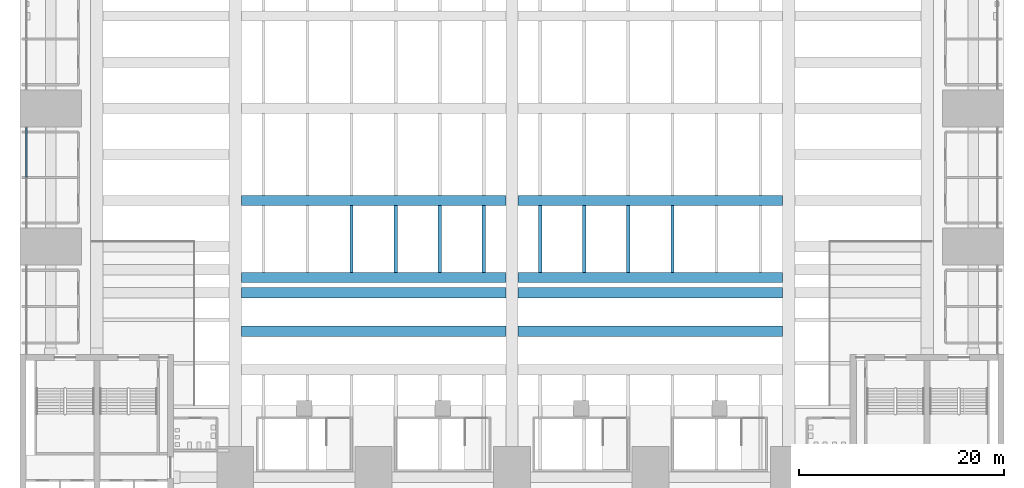
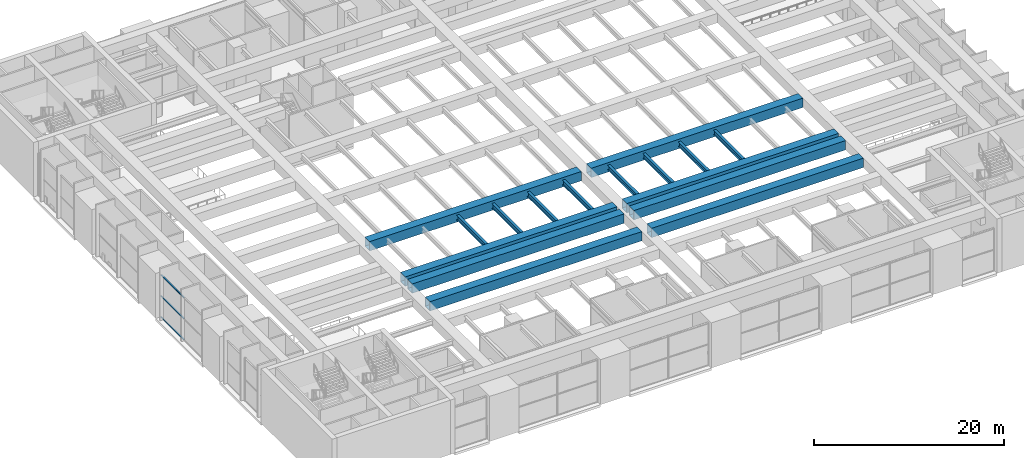
# One storey, part 7 of 45: 11 members, 8 beams, 1 element without a shape of its own.
"""IFC4 building model written with IfcOpenShell, lengths in metres."""

from ifc_helpers import new_model, si_unit, direction, frame, origin, origin_2d, place, context, subcontext, project, spatial, rectangle, hollow_rectangle, i_section, extrude, material, layer, layer_set, material_profile, profile_set, type_object, element, aggregate, save


model = new_model("IFC4")

# Units and contexts
model_context = context("Model", 3, precision=1e-05, world=origin(), true_north=direction((0.0, 1.0)))
body_context = subcontext(model_context, "Body", "Model", "MODEL_VIEW")
ifc_project = project(units=[si_unit("LENGTHUNIT", "METRE"), si_unit("AREAUNIT", "SQUARE_METRE"), si_unit("VOLUMEUNIT", "CUBIC_METRE"), si_unit("PLANEANGLEUNIT", "RADIAN"), si_unit("MASSUNIT", "GRAM", prefix="KILO")], contexts=[model_context])

# Site, building, storey
site_placement = place(None, origin())
site = spatial("IfcSite", under=ifc_project, at=site_placement, CompositionType="ELEMENT")
building_placement = place(site_placement, origin())
building = spatial("IfcBuilding", under=site, at=building_placement, Name="Corbelhall Arena Tower", CompositionType="ELEMENT")
storey_placement = place(building_placement, frame((0.0, 0.0, 37.0)))
storey = spatial("IfcBuildingStorey", under=building, at=storey_placement, Name="L05", CompositionType="ELEMENT", Elevation=37.0)

# Curtain wall, members
ifc_material_1 = material(Name="Aluminium black anodised", Category="aluminium")
ifc_layer = layer(ifc_material_1, 0.239990234375)
ifc_layer_set = layer_set([ifc_layer], Name="EV-CW4 Arena concourse glazing")
curtain_wall_type = type_object("IfcCurtainWallType", Name="EV-CW4 Arena concourse glazing", PredefinedType="NOTDEFINED", material=ifc_layer_set)
curtain_wall_placement = place(storey_placement, origin())
curtain_wall = element("IfcCurtainWall", 1, at=curtain_wall_placement, inside=storey, type_object=curtain_wall_type, Name="Curtain wall CW4", PredefinedType="NOTDEFINED")
ifc_material_profile_1 = material_profile(ifc_material_1, rectangle(XDim=0.14990234375, YDim=0.074951171875, at=origin_2d()))
ifc_profile_set_1 = profile_set([ifc_material_profile_1], Name="Aluminium black anodised")
member_type_1 = type_object("IfcMemberType", Name="EV-CW4-TRANSOM", PredefinedType="USERDEFINED", material=ifc_profile_set_1)
member_1_placement = place(storey_placement, frame((-47.3798828125, -1.875, 0.03759765625), z_axis=(0.0, -1.0, 0.0), x_axis=(1.0, 0.0, 0.0)))
member_1 = element("IfcMember", 2, at=member_1_placement, type_object=member_type_1, Name="CW4 transom 1.1", ObjectType="transom", PredefinedType="USERDEFINED", context=body_context, shape_type="SweptSolid", body=[
    extrude(rectangle(XDim=0.14990234375, YDim=0.074951171875, at=origin_2d()), origin(), (0.0, 0.0, 1.0), 4.83740234375),
])
member_2_placement = place(storey_placement, frame((-47.3798828125, -1.875, 2.75), z_axis=(0.0, -1.0, 0.0), x_axis=(1.0, 0.0, 0.0)))
member_2 = element("IfcMember", 3, at=member_2_placement, type_object=member_type_1, Name="CW4 transom 1.2", ObjectType="transom", PredefinedType="USERDEFINED", context=body_context, shape_type="SweptSolid", body=[
    extrude(rectangle(XDim=0.14990234375, YDim=0.074951171875, at=origin_2d()), origin(), (0.0, 0.0, 1.0), 4.83740234375),
])
member_3_placement = place(storey_placement, frame((-47.3798828125, -1.875, 5.46240234375), z_axis=(0.0, -1.0, 0.0), x_axis=(1.0, 0.0, 0.0)))
member_3 = element("IfcMember", 4, at=member_3_placement, type_object=member_type_1, Name="CW4 transom 1.3", ObjectType="transom", PredefinedType="USERDEFINED", context=body_context, shape_type="SweptSolid", body=[
    extrude(rectangle(XDim=0.14990234375, YDim=0.074951171875, at=origin_2d()), origin(), (0.0, 0.0, 1.0), 4.83740234375),
])
aggregate(curtain_wall, [member_1, member_2, member_3])

# Beams
ifc_material_2 = material(Name="Steel ASTM A992 Gr50", Category="steel")
ifc_material_profile_2 = material_profile(ifc_material_2, i_section(OverallWidth=0.323974609375, OverallDepth=0.611083984375, WebThickness=0.0126953125, FlangeThickness=0.01904296875, at=origin_2d()))
ifc_profile_set_2 = profile_set([ifc_material_profile_2], Name="Steel ASTM A992 Gr50")
beam_type = type_object("IfcBeamType", Name="PO-BEAM-W24X104", PredefinedType="BEAM", material=ifc_profile_set_2)
for number, where, z_axis, x_axis, name in (
    (5, (-15.64990234375, -16.0, 6.39453125), (0.0, 1.0, 0.0), (-1.0, 0.0, 0.0), "DECK BEAM BOT 21.3"),
    (6, (-11.35009765625, -16.0, 6.39453125), (0.0, 1.0, 0.0), (-1.0, 0.0, 0.0), "DECK BEAM BOT 21.4"),
    (7, (-7.050048828125, -16.0, 6.39453125), (0.0, 1.0, 0.0), (-1.0, 0.0, 0.0), "DECK BEAM BOT 21.5"),
    (8, (-2.75, -16.0, 6.39453125), (0.0, 1.0, 0.0), (-1.0, 0.0, 0.0), "DECK BEAM BOT 21.6"),
    (9, (2.75, -16.0, 6.39453125), (0.0, 1.0, 0.0), (-1.0, 0.0, 0.0), "DECK BEAM BOT 32.1"),
    (10, (7.050048828125, -16.0, 6.39453125), (0.0, 1.0, 0.0), (-1.0, 0.0, 0.0), "DECK BEAM BOT 32.2"),
    (11, (11.35009765625, -16.0, 6.39453125), (0.0, 1.0, 0.0), (-1.0, 0.0, 0.0), "DECK BEAM BOT 32.3"),
    (12, (15.64990234375, -16.0, 6.39453125), (0.0, 1.0, 0.0), (-1.0, 0.0, 0.0), "DECK BEAM BOT 32.4"),
):
    element("IfcBeam", number, at=place(storey_placement, frame(where, z_axis=z_axis, x_axis=x_axis)), inside=storey, type_object=beam_type, Name=name, PredefinedType="BEAM", context=body_context, shape_type="SweptSolid", body=[
        extrude(i_section(OverallWidth=0.323974609375, OverallDepth=0.611083984375, WebThickness=0.0126953125, FlangeThickness=0.01904296875, at=origin_2d()), origin(), (0.0, 0.0, 1.0), 6.5),
    ])

# Members
ifc_material_3 = material(Name="Steel ASTM A572 Gr50", Category="steel")
ifc_material_profile_3 = material_profile(ifc_material_3, hollow_rectangle(XDim=1.0, YDim=1.199951171875, WallThickness=0.06005859375, at=origin_2d()))
ifc_profile_set_3 = profile_set([ifc_material_profile_3], Name="Steel ASTM A572 Gr50")
member_type_2 = type_object("IfcMemberType", Name="PO-CHORD-1200X1000X60", PredefinedType="CHORD", material=ifc_profile_set_3)
for number, where, z_axis, x_axis, name in (
    (13, (-26.39990234375, -21.75, 6.39990234375), (1.0, 0.0, 0.0), (0.0, 1.0, 0.0), "TRUSS SEC-S21.75-1 BOT CHORD"),
    (14, (0.60009765625, -21.75, 6.39990234375), (1.0, 0.0, 0.0), (0.0, 1.0, 0.0), "TRUSS SEC-S21.75-2 BOT CHORD"),
    (15, (-26.39990234375, -18.0, 6.39990234375), (1.0, 0.0, 0.0), (0.0, 1.0, 0.0), "TRUSS SEC-S18.00-1 BOT CHORD"),
    (16, (0.60009765625, -18.0, 6.39990234375), (1.0, 0.0, 0.0), (0.0, 1.0, 0.0), "TRUSS SEC-S18.00-2 BOT CHORD"),
    (17, (-26.39990234375, -16.5, 6.39990234375), (1.0, 0.0, 0.0), (0.0, 1.0, 0.0), "TRUSS SEC-S16.50-1 BOT CHORD"),
    (18, (0.60009765625, -16.5, 6.39990234375), (1.0, 0.0, 0.0), (0.0, 1.0, 0.0), "TRUSS SEC-S16.50-2 BOT CHORD"),
    (19, (-26.39990234375, -9.0, 6.39990234375), (1.0, 0.0, 0.0), (0.0, 1.0, 0.0), "TRUSS SEC-S09.00-1 BOT CHORD"),
    (20, (0.60009765625, -9.0, 6.39990234375), (1.0, 0.0, 0.0), (0.0, 1.0, 0.0), "TRUSS SEC-S09.00-2 BOT CHORD"),
):
    element("IfcMember", number, at=place(storey_placement, frame(where, z_axis=z_axis, x_axis=x_axis)), inside=storey, type_object=member_type_2, Name=name, PredefinedType="CHORD", context=body_context, shape_type="SweptSolid", body=[
        extrude(hollow_rectangle(XDim=1.0, YDim=1.199951171875, WallThickness=0.06005859375, at=origin_2d()), origin(), (0.0, 0.0, 1.0), 25.7998046875),
    ])

save(model, "model.ifc")
